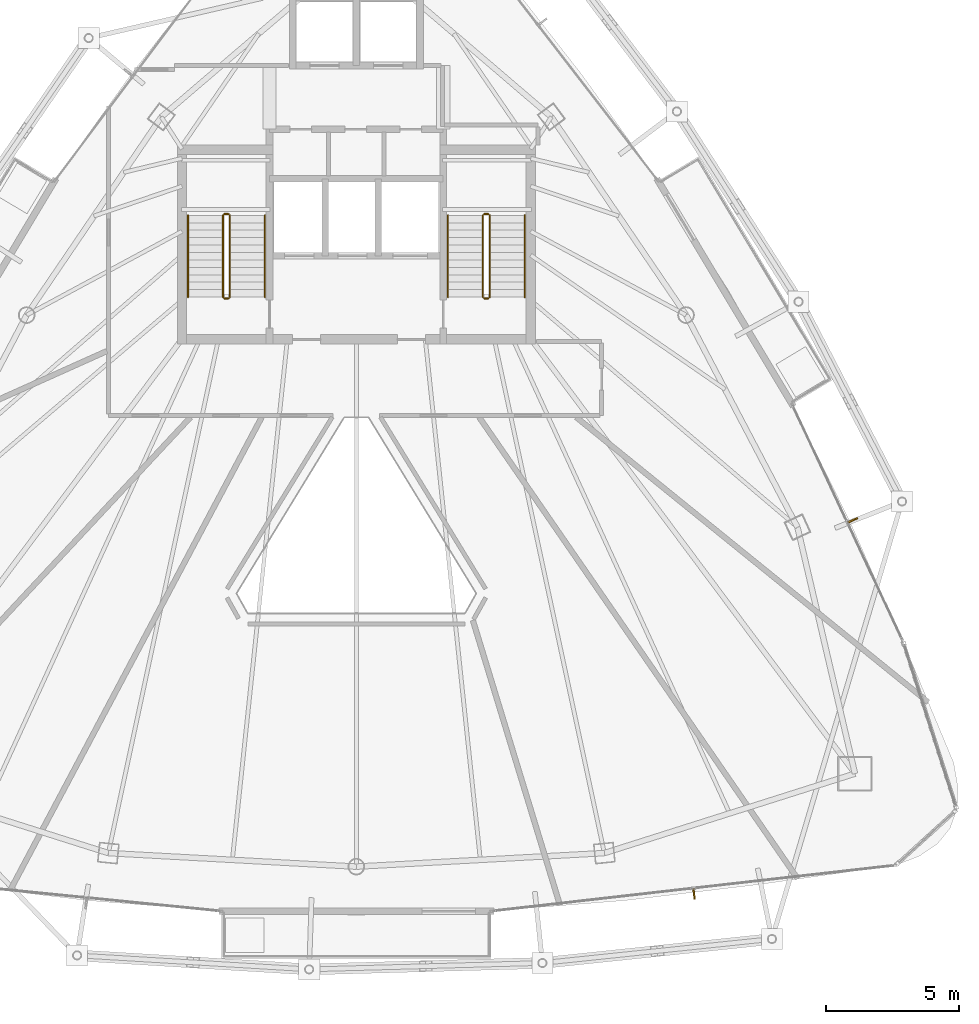
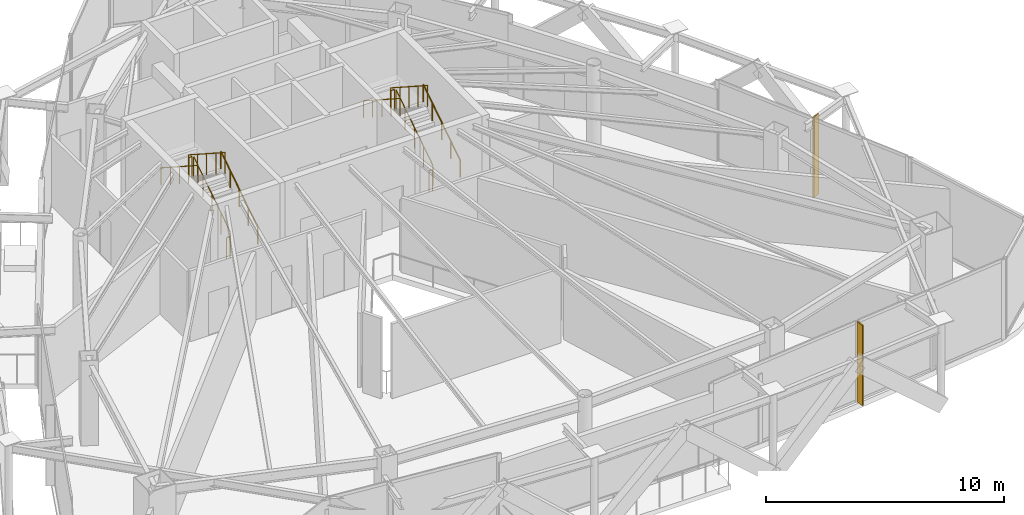
# One storey, part 24 of 25: 12 railings, 2 shading devices.
"""IFC4 building model written with IfcOpenShell, lengths in metres."""

from ifc_helpers import new_model, si_unit, direction, frame, origin, origin_2d, place, context, subcontext, project, spatial, rectangle, circle, extrude, material, layer, layer_set, type_object, element, save


model = new_model("IFC4")

# Units and contexts
model_context = context("Model", 3, precision=1e-05, world=origin(), true_north=direction((0.0, 1.0)))
body_context = subcontext(model_context, "Body", "Model", "MODEL_VIEW")
ifc_project = project(units=[si_unit("LENGTHUNIT", "METRE"), si_unit("AREAUNIT", "SQUARE_METRE"), si_unit("VOLUMEUNIT", "CUBIC_METRE"), si_unit("PLANEANGLEUNIT", "RADIAN"), si_unit("MASSUNIT", "GRAM", prefix="KILO")], contexts=[model_context])

# Site, building, storey
site_placement = place(None, origin())
site = spatial("IfcSite", under=ifc_project, at=site_placement, CompositionType="ELEMENT")
building_placement = place(site_placement, origin())
building = spatial("IfcBuilding", under=site, at=building_placement, Name="Orvanel Arch Residences", CompositionType="ELEMENT")
storey_placement = place(building_placement, frame((0.0, 0.0, 236.0)))
storey = spatial("IfcBuildingStorey", under=building, at=storey_placement, Name="L67", CompositionType="ELEMENT", Elevation=236.0)

# Shading devices
ifc_material_1 = material(Name="Bronze-anodised aluminium AA6063-T6", Category="aluminium")
ifc_layer = layer(ifc_material_1, 0.06005859375)
ifc_layer_set = layer_set([ifc_layer], Name="Bronze-anodised aluminium AA6063-T6")
shading_device_type = type_object("IfcShadingDeviceType", Name="FIN-BRZ-380", PredefinedType="USERDEFINED", material=ifc_layer_set)
for number, where, z_axis, x_axis, name in (
    (1, (45.73291015625, 5.81103515625, 0.0), (0.0, 0.0, 1.0), (0.113203213768, -0.993571855677, 0.0), "L67 Anodised Bronze Mullion FIN 01"),
    (2, (51.720947265625, 19.905029296875, 0.0), (0.0, 0.0, 1.0), (0.905568799011, 0.424199422745, 0.0), "L67 Anodised Bronze Mullion FIN 01"),
):
    element("IfcShadingDevice", number, at=place(storey_placement, frame(where, z_axis=z_axis, x_axis=x_axis)), inside=storey, type_object=shading_device_type, Name=name, ObjectType="FIN", PredefinedType="USERDEFINED", context=body_context, shape_type="SweptSolid", body=[
        extrude(rectangle(XDim=0.3798828125, YDim=0.06005859375, at=origin_2d()), origin(), (0.0, 0.0, 1.0), 4.110107421875),
    ])

# Railings
ifc_material_2 = material(Name="Structural steel AS/NZS 1163 C350L0 (Grade 350)", Category="steel")
railing_type_1 = type_object("IfcRailingType", Name="RL-STAIR-GUARD", PredefinedType="GUARDRAIL", material=ifc_material_2)
railing_1_placement = place(storey_placement, frame((28.22998046875, 28.320068359375, 0.18115234375)))
element("IfcRailing", 3, at=railing_1_placement, inside=storey, type_object=railing_type_1, Name="L67 ST-1 stair guard 1", PredefinedType="GUARDRAIL", context=body_context, shape_type="SweptSolid", body=[
    extrude(circle(Radius=0.02392578125, at=origin_2d()), frame((0.0, 0.001220703125, 1.076904296875), z_axis=(0.0, 0.839438020429, 0.543455435025), x_axis=(-1.0, 0.0, 0.0)), (0.0, 0.0, 1.0), 3.666015625),
    extrude(circle(Radius=0.02099609375, at=origin_2d()), origin(), (0.0, 0.0, 1.0), 1.050048828125),
    extrude(circle(Radius=0.02099609375, at=origin_2d()), frame((0.0, 0.77001953125, 0.49853515625)), (0.0, 0.0, 1.0), 1.050048828125),
    extrude(circle(Radius=0.02099609375, at=origin_2d()), frame((0.0, 1.5400390625, 0.9970703125)), (0.0, 0.0, 1.0), 1.050048828125),
    extrude(circle(Radius=0.02099609375, at=origin_2d()), frame((0.0, 2.309814453125, 1.495361328125)), (0.0, 0.0, 1.0), 1.050048828125),
    extrude(circle(Radius=0.02099609375, at=origin_2d()), frame((0.0, 3.079833984375, 1.993896484375)), (0.0, 0.0, 1.0), 1.050048828125),
])
railing_2_placement = place(storey_placement, frame((28.179931640625, 31.449951171875, 2.175048828125)))
element("IfcRailing", 4, at=railing_2_placement, inside=storey, type_object=railing_type_1, Name="L67 ST-1 stair guard 2", PredefinedType="GUARDRAIL", context=body_context, shape_type="SweptSolid", body=[
    extrude(circle(Radius=0.02392578125, at=origin_2d()), frame((-0.00146484375, 0.0, 1.076171875), z_axis=(-1.0, 0.0, 0.0), x_axis=(0.0, -1.0, 0.0)), (0.0, 0.0, 1.0), 0.156982421875),
    extrude(circle(Radius=0.02099609375, at=origin_2d()), origin(), (0.0, 0.0, 1.0), 1.050048828125),
    extrude(circle(Radius=0.02099609375, at=origin_2d()), frame((-0.159912109375, 0.0, 0.0)), (0.0, 0.0, 1.0), 1.050048828125),
])
railing_3_placement = place(storey_placement, frame((27.969970703125, 31.39990234375, 2.356201171875)))
element("IfcRailing", 5, at=railing_3_placement, inside=storey, type_object=railing_type_1, Name="L67 ST-1 stair guard 3", PredefinedType="GUARDRAIL", context=body_context, shape_type="SweptSolid", body=[
    extrude(circle(Radius=0.02392578125, at=origin_2d()), frame((0.0, -0.001220703125, 1.076904296875), z_axis=(0.0, -0.839438020429, 0.543455435025), x_axis=(1.0, 0.0, 0.0)), (0.0, 0.0, 1.0), 3.666015625),
    extrude(circle(Radius=0.02099609375, at=origin_2d()), origin(), (0.0, 0.0, 1.0), 1.050048828125),
    extrude(circle(Radius=0.02099609375, at=origin_2d()), frame((0.0, -0.77001953125, 0.49853515625)), (0.0, 0.0, 1.0), 1.050048828125),
    extrude(circle(Radius=0.02099609375, at=origin_2d()), frame((0.0, -1.5400390625, 0.9970703125)), (0.0, 0.0, 1.0), 1.050048828125),
    extrude(circle(Radius=0.02099609375, at=origin_2d()), frame((0.0, -2.309814453125, 1.495361328125)), (0.0, 0.0, 1.0), 1.050048828125),
    extrude(circle(Radius=0.02099609375, at=origin_2d()), frame((0.0, -3.079833984375, 1.993896484375)), (0.0, 0.0, 1.0), 1.050048828125),
])
railing_4_placement = place(storey_placement, frame((28.179931640625, 28.27001953125, 0.0)))
element("IfcRailing", 6, at=railing_4_placement, inside=storey, type_object=railing_type_1, Name="L67 ST-1 stair guard 4", PredefinedType="GUARDRAIL", context=body_context, shape_type="SweptSolid", body=[
    extrude(circle(Radius=0.02392578125, at=origin_2d()), frame((-0.00146484375, 0.0, 1.076171875), z_axis=(-1.0, 0.0, 0.0), x_axis=(0.0, -1.0, 0.0)), (0.0, 0.0, 1.0), 0.156982421875),
    extrude(circle(Radius=0.02099609375, at=origin_2d()), origin(), (0.0, 0.0, 1.0), 1.050048828125),
    extrude(circle(Radius=0.02099609375, at=origin_2d()), frame((-0.159912109375, 0.0, 0.0)), (0.0, 0.0, 1.0), 1.050048828125),
])
railing_5_placement = place(storey_placement, frame((38.030029296875, 28.320068359375, 0.18115234375)))
element("IfcRailing", 7, at=railing_5_placement, inside=storey, type_object=railing_type_1, Name="L67 ST-2 stair guard 1", PredefinedType="GUARDRAIL", context=body_context, shape_type="SweptSolid", body=[
    extrude(circle(Radius=0.02392578125, at=origin_2d()), frame((0.0, 0.001220703125, 1.076904296875), z_axis=(0.0, 0.839438020429, 0.543455435025), x_axis=(-1.0, 0.0, 0.0)), (0.0, 0.0, 1.0), 3.666015625),
    extrude(circle(Radius=0.02099609375, at=origin_2d()), origin(), (0.0, 0.0, 1.0), 1.050048828125),
    extrude(circle(Radius=0.02099609375, at=origin_2d()), frame((0.0, 0.77001953125, 0.49853515625)), (0.0, 0.0, 1.0), 1.050048828125),
    extrude(circle(Radius=0.02099609375, at=origin_2d()), frame((0.0, 1.5400390625, 0.9970703125)), (0.0, 0.0, 1.0), 1.050048828125),
    extrude(circle(Radius=0.02099609375, at=origin_2d()), frame((0.0, 2.309814453125, 1.495361328125)), (0.0, 0.0, 1.0), 1.050048828125),
    extrude(circle(Radius=0.02099609375, at=origin_2d()), frame((0.0, 3.079833984375, 1.993896484375)), (0.0, 0.0, 1.0), 1.050048828125),
])
railing_6_placement = place(storey_placement, frame((37.97998046875, 31.449951171875, 2.175048828125)))
element("IfcRailing", 8, at=railing_6_placement, inside=storey, type_object=railing_type_1, Name="L67 ST-2 stair guard 2", PredefinedType="GUARDRAIL", context=body_context, shape_type="SweptSolid", body=[
    extrude(circle(Radius=0.02392578125, at=origin_2d()), frame((-0.00146484375, 0.0, 1.076171875), z_axis=(-1.0, 0.0, 0.0), x_axis=(0.0, -1.0, 0.0)), (0.0, 0.0, 1.0), 0.156982421875),
    extrude(circle(Radius=0.02099609375, at=origin_2d()), origin(), (0.0, 0.0, 1.0), 1.050048828125),
    extrude(circle(Radius=0.02099609375, at=origin_2d()), frame((-0.159912109375, 0.0, 0.0)), (0.0, 0.0, 1.0), 1.050048828125),
])
railing_7_placement = place(storey_placement, frame((37.77001953125, 31.39990234375, 2.356201171875)))
element("IfcRailing", 9, at=railing_7_placement, inside=storey, type_object=railing_type_1, Name="L67 ST-2 stair guard 3", PredefinedType="GUARDRAIL", context=body_context, shape_type="SweptSolid", body=[
    extrude(circle(Radius=0.02392578125, at=origin_2d()), frame((0.0, -0.001220703125, 1.076904296875), z_axis=(0.0, -0.839438020429, 0.543455435025), x_axis=(1.0, 0.0, 0.0)), (0.0, 0.0, 1.0), 3.666015625),
    extrude(circle(Radius=0.02099609375, at=origin_2d()), origin(), (0.0, 0.0, 1.0), 1.050048828125),
    extrude(circle(Radius=0.02099609375, at=origin_2d()), frame((0.0, -0.77001953125, 0.49853515625)), (0.0, 0.0, 1.0), 1.050048828125),
    extrude(circle(Radius=0.02099609375, at=origin_2d()), frame((0.0, -1.5400390625, 0.9970703125)), (0.0, 0.0, 1.0), 1.050048828125),
    extrude(circle(Radius=0.02099609375, at=origin_2d()), frame((0.0, -2.309814453125, 1.495361328125)), (0.0, 0.0, 1.0), 1.050048828125),
    extrude(circle(Radius=0.02099609375, at=origin_2d()), frame((0.0, -3.079833984375, 1.993896484375)), (0.0, 0.0, 1.0), 1.050048828125),
])
railing_8_placement = place(storey_placement, frame((37.97998046875, 28.27001953125, 0.0)))
element("IfcRailing", 10, at=railing_8_placement, inside=storey, type_object=railing_type_1, Name="L67 ST-2 stair guard 4", PredefinedType="GUARDRAIL", context=body_context, shape_type="SweptSolid", body=[
    extrude(circle(Radius=0.02392578125, at=origin_2d()), frame((-0.00146484375, 0.0, 1.076171875), z_axis=(-1.0, 0.0, 0.0), x_axis=(0.0, -1.0, 0.0)), (0.0, 0.0, 1.0), 0.156982421875),
    extrude(circle(Radius=0.02099609375, at=origin_2d()), origin(), (0.0, 0.0, 1.0), 1.050048828125),
    extrude(circle(Radius=0.02099609375, at=origin_2d()), frame((-0.159912109375, 0.0, 0.0)), (0.0, 0.0, 1.0), 1.050048828125),
])
railing_type_2 = type_object("IfcRailingType", Name="RL-STAIR-HAND", PredefinedType="HANDRAIL", material=ifc_material_2)
railing_9_placement = place(storey_placement, frame((29.550048828125, 28.320068359375, 0.18115234375)))
element("IfcRailing", 11, at=railing_9_placement, inside=storey, type_object=railing_type_2, Name="L67 ST-1 stair handrail 1", PredefinedType="HANDRAIL", context=body_context, shape_type="SweptSolid", body=[
    extrude(circle(Radius=0.02392578125, at=origin_2d()), frame((0.0, 0.001220703125, 0.876708984375), z_axis=(0.0, 0.839438020429, 0.543455435025), x_axis=(-1.0, 0.0, 0.0)), (0.0, 0.0, 1.0), 3.666015625),
    extrude(circle(Radius=0.02099609375, at=origin_2d()), origin(), (0.0, 0.0, 1.0), 0.849853515625),
    extrude(circle(Radius=0.02099609375, at=origin_2d()), frame((0.0, 0.77001953125, 0.49853515625)), (0.0, 0.0, 1.0), 0.849853515625),
    extrude(circle(Radius=0.02099609375, at=origin_2d()), frame((0.0, 1.5400390625, 0.9970703125)), (0.0, 0.0, 1.0), 0.849853515625),
    extrude(circle(Radius=0.02099609375, at=origin_2d()), frame((0.0, 2.309814453125, 1.495361328125)), (0.0, 0.0, 1.0), 0.849853515625),
    extrude(circle(Radius=0.02099609375, at=origin_2d()), frame((0.0, 3.079833984375, 1.993896484375)), (0.0, 0.0, 1.0), 0.849853515625),
])
railing_10_placement = place(storey_placement, frame((26.64990234375, 31.39990234375, 2.356201171875)))
element("IfcRailing", 12, at=railing_10_placement, inside=storey, type_object=railing_type_2, Name="L67 ST-1 stair handrail 2", PredefinedType="HANDRAIL", context=body_context, shape_type="SweptSolid", body=[
    extrude(circle(Radius=0.02392578125, at=origin_2d()), frame((0.0, -0.001220703125, 0.876708984375), z_axis=(0.0, -0.839438020429, 0.543455435025), x_axis=(1.0, 0.0, 0.0)), (0.0, 0.0, 1.0), 3.666015625),
    extrude(circle(Radius=0.02099609375, at=origin_2d()), origin(), (0.0, 0.0, 1.0), 0.849853515625),
    extrude(circle(Radius=0.02099609375, at=origin_2d()), frame((0.0, -0.77001953125, 0.49853515625)), (0.0, 0.0, 1.0), 0.849853515625),
    extrude(circle(Radius=0.02099609375, at=origin_2d()), frame((0.0, -1.5400390625, 0.9970703125)), (0.0, 0.0, 1.0), 0.849853515625),
    extrude(circle(Radius=0.02099609375, at=origin_2d()), frame((0.0, -2.309814453125, 1.495361328125)), (0.0, 0.0, 1.0), 0.849853515625),
    extrude(circle(Radius=0.02099609375, at=origin_2d()), frame((0.0, -3.079833984375, 1.993896484375)), (0.0, 0.0, 1.0), 0.849853515625),
])
railing_11_placement = place(storey_placement, frame((39.35009765625, 28.320068359375, 0.18115234375)))
element("IfcRailing", 13, at=railing_11_placement, inside=storey, type_object=railing_type_2, Name="L67 ST-2 stair handrail 1", PredefinedType="HANDRAIL", context=body_context, shape_type="SweptSolid", body=[
    extrude(circle(Radius=0.02392578125, at=origin_2d()), frame((0.0, 0.001220703125, 0.876708984375), z_axis=(0.0, 0.839438020429, 0.543455435025), x_axis=(-1.0, 0.0, 0.0)), (0.0, 0.0, 1.0), 3.666015625),
    extrude(circle(Radius=0.02099609375, at=origin_2d()), origin(), (0.0, 0.0, 1.0), 0.849853515625),
    extrude(circle(Radius=0.02099609375, at=origin_2d()), frame((0.0, 0.77001953125, 0.49853515625)), (0.0, 0.0, 1.0), 0.849853515625),
    extrude(circle(Radius=0.02099609375, at=origin_2d()), frame((0.0, 1.5400390625, 0.9970703125)), (0.0, 0.0, 1.0), 0.849853515625),
    extrude(circle(Radius=0.02099609375, at=origin_2d()), frame((0.0, 2.309814453125, 1.495361328125)), (0.0, 0.0, 1.0), 0.849853515625),
    extrude(circle(Radius=0.02099609375, at=origin_2d()), frame((0.0, 3.079833984375, 1.993896484375)), (0.0, 0.0, 1.0), 0.849853515625),
])
railing_12_placement = place(storey_placement, frame((36.449951171875, 31.39990234375, 2.356201171875)))
element("IfcRailing", 14, at=railing_12_placement, inside=storey, type_object=railing_type_2, Name="L67 ST-2 stair handrail 2", PredefinedType="HANDRAIL", context=body_context, shape_type="SweptSolid", body=[
    extrude(circle(Radius=0.02392578125, at=origin_2d()), frame((0.0, -0.001220703125, 0.876708984375), z_axis=(0.0, -0.839438020429, 0.543455435025), x_axis=(1.0, 0.0, 0.0)), (0.0, 0.0, 1.0), 3.666015625),
    extrude(circle(Radius=0.02099609375, at=origin_2d()), origin(), (0.0, 0.0, 1.0), 0.849853515625),
    extrude(circle(Radius=0.02099609375, at=origin_2d()), frame((0.0, -0.77001953125, 0.49853515625)), (0.0, 0.0, 1.0), 0.849853515625),
    extrude(circle(Radius=0.02099609375, at=origin_2d()), frame((0.0, -1.5400390625, 0.9970703125)), (0.0, 0.0, 1.0), 0.849853515625),
    extrude(circle(Radius=0.02099609375, at=origin_2d()), frame((0.0, -2.309814453125, 1.495361328125)), (0.0, 0.0, 1.0), 0.849853515625),
    extrude(circle(Radius=0.02099609375, at=origin_2d()), frame((0.0, -3.079833984375, 1.993896484375)), (0.0, 0.0, 1.0), 0.849853515625),
])

save(model, "model.ifc")
